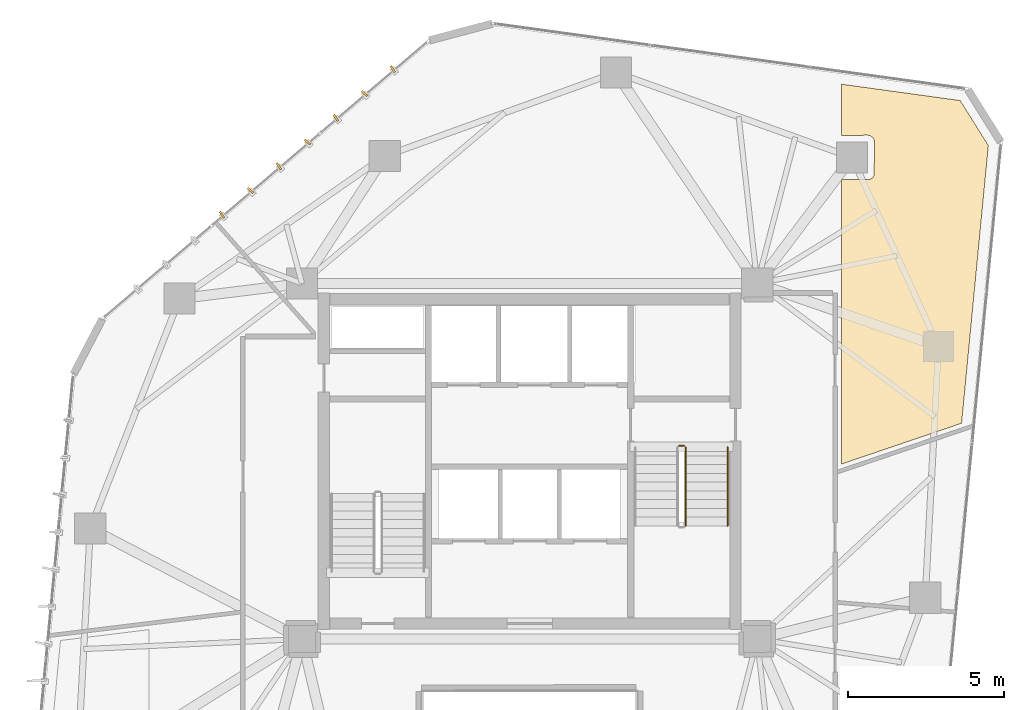
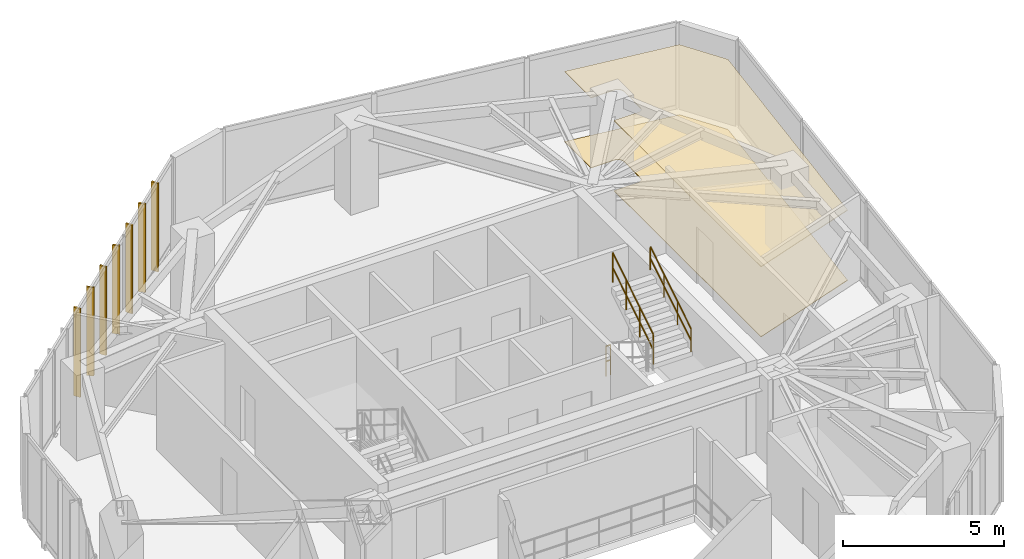
# One storey, part 20 of 20: 7 shading devices, 3 railings, 2 coverings.
"""IFC4 building model written with IfcOpenShell, lengths in metres."""

from ifc_helpers import new_model, si_unit, direction, frame, origin, origin_2d, place, context, subcontext, project, spatial, polyline, rectangle, circle, outline, extrude, source, transform, mapped, material, layer, layer_set, type_object, type_shapes, element, save


model = new_model("IFC4")

# Units and contexts
model_context = context("Model", 3, precision=1e-05, world=origin(), true_north=direction((0.0, 1.0)))
body_context = subcontext(model_context, "Body", "Model", "MODEL_VIEW")
ifc_project = project(units=[si_unit("LENGTHUNIT", "METRE"), si_unit("AREAUNIT", "SQUARE_METRE"), si_unit("VOLUMEUNIT", "CUBIC_METRE"), si_unit("PLANEANGLEUNIT", "RADIAN"), si_unit("MASSUNIT", "GRAM", prefix="KILO")], contexts=[model_context])

# Site, building, storey
site_placement = place(None, origin())
site = spatial("IfcSite", under=ifc_project, at=site_placement, CompositionType="ELEMENT")
building_placement = place(site_placement, origin())
building = spatial("IfcBuilding", under=site, at=building_placement, Name="Talar Marvaseh", CompositionType="ELEMENT")
storey_placement = place(building_placement, frame((0.0, 0.0, 211.699951171875)))
storey = spatial("IfcBuildingStorey", under=building, at=storey_placement, Name="L55", CompositionType="ELEMENT", Elevation=211.699951171875)

# Railings
ifc_material_1 = material(Name="Stainless Steel Grade 316", Category="steel")
railing_type_1 = type_object("IfcRailingType", Name="Brushed Stainless Wall Pitch Handrail 900", PredefinedType="HANDRAIL", material=ifc_material_1)
railing_1_placement = place(storey_placement, frame((32.35009765625, 29.1298828125, 1.925048828125)))
element("IfcRailing", 1, at=railing_1_placement, inside=storey, type_object=railing_type_1, Name="L55 ST-2 stair handrail 2", PredefinedType="HANDRAIL", context=body_context, shape_type="SweptSolid", body=[
    extrude(circle(Radius=0.02392578125, at=origin_2d()), frame((0.0, 0.0, 0.8759765625), z_axis=(0.0, 0.848007534815, 0.529984170421), x_axis=(-1.0, 0.0, 0.0)), (0.0, 0.0, 1.0), 2.9716796875),
    extrude(circle(Radius=0.02392578125, at=origin_2d()), frame((0.0, 0.0, 0.42578125), z_axis=(0.0, 0.848007534815, 0.529984170421), x_axis=(-1.0, 0.0, 0.0)), (0.0, 0.0, 1.0), 2.9716796875),
    extrude(circle(Radius=0.02099609375, at=origin_2d()), origin(), (0.0, 0.0, 1.0), 0.851806640625),
    extrude(circle(Radius=0.02099609375, at=origin_2d()), frame((0.0, 0.840087890625, 0.52490234375)), (0.0, 0.0, 1.0), 0.851806640625),
    extrude(circle(Radius=0.02099609375, at=origin_2d()), frame((0.0, 1.679931640625, 1.050048828125)), (0.0, 0.0, 1.0), 0.851806640625),
    extrude(circle(Radius=0.02099609375, at=origin_2d()), frame((0.0, 2.52001953125, 1.574951171875)), (0.0, 0.0, 1.0), 0.851806640625),
])
railing_type_2 = type_object("IfcRailingType", Name="Painted Steel Core Stair Well Guardrail 1150", PredefinedType="GUARDRAIL", material=ifc_material_1)
railing_2_placement = place(storey_placement, frame((31.0, 29.1298828125, 1.925048828125)))
element("IfcRailing", 2, at=railing_2_placement, inside=storey, type_object=railing_type_2, Name="L55 ST-2 stair guard 3", PredefinedType="GUARDRAIL", context=body_context, shape_type="SweptSolid", body=[
    extrude(circle(Radius=0.02392578125, at=origin_2d()), frame((0.0, 0.0, 1.1259765625), z_axis=(0.0, 0.848007534815, 0.529984170421), x_axis=(-1.0, 0.0, 0.0)), (0.0, 0.0, 1.0), 2.9716796875),
    extrude(circle(Radius=0.02392578125, at=origin_2d()), frame((0.0, 0.0, 0.55078125), z_axis=(0.0, 0.848007534815, 0.529984170421), x_axis=(-1.0, 0.0, 0.0)), (0.0, 0.0, 1.0), 2.9716796875),
    extrude(circle(Radius=0.02099609375, at=origin_2d()), origin(), (0.0, 0.0, 1.0), 1.101806640625),
    extrude(circle(Radius=0.02099609375, at=origin_2d()), frame((0.0, 0.840087890625, 0.52490234375)), (0.0, 0.0, 1.0), 1.101806640625),
    extrude(circle(Radius=0.02099609375, at=origin_2d()), frame((0.0, 1.679931640625, 1.050048828125)), (0.0, 0.0, 1.0), 1.101806640625),
    extrude(circle(Radius=0.02099609375, at=origin_2d()), frame((0.0, 2.52001953125, 1.574951171875)), (0.0, 0.0, 1.0), 1.101806640625),
])
railing_3_placement = place(storey_placement, frame((30.7900390625, 31.699951171875, 0.0)))
element("IfcRailing", 3, at=railing_3_placement, inside=storey, type_object=railing_type_2, Name="L55 ST-2 stair guard 4", PredefinedType="GUARDRAIL", context=body_context, shape_type="SweptSolid", body=[
    extrude(circle(Radius=0.02392578125, at=origin_2d()), frame((0.0, 0.0, 1.1259765625), z_axis=(1.0, 0.0, 0.0), x_axis=(0.0, 1.0, 0.0)), (0.0, 0.0, 1.0), 0.159912109375),
    extrude(circle(Radius=0.02392578125, at=origin_2d()), frame((0.0, 0.0, 0.55078125), z_axis=(1.0, 0.0, 0.0), x_axis=(0.0, 1.0, 0.0)), (0.0, 0.0, 1.0), 0.159912109375),
    extrude(circle(Radius=0.02099609375, at=origin_2d()), origin(), (0.0, 0.0, 1.0), 1.101806640625),
    extrude(circle(Radius=0.02099609375, at=origin_2d()), frame((0.159912109375, 0.0, 0.0)), (0.0, 0.0, 1.0), 1.101806640625),
])

# Coverings
ifc_material_2 = material(Name="Mineral Fibre Acoustic Ceiling")
ifc_layer_1 = layer(ifc_material_2, 0.02490234375)
ifc_layer_set_1 = layer_set([ifc_layer_1], Name="Mineral Fibre Acoustic Ceiling")
covering_type_1 = type_object("IfcCoveringType", Name="Perforated Mineral Fibre Acoustic Suspended Ceiling", PredefinedType="CEILING", material=ifc_layer_set_1)
covering_1_placement = place(storey_placement, frame((0.0, 0.0, 2.650146484375)))
element("IfcCovering", 4, at=covering_1_placement, inside=storey, type_object=covering_type_1, Name="L55 Artisan Craft Showroom Acoustic Ceiling", PredefinedType="CEILING", context=body_context, shape_type="SweptSolid", body=[
    extrude(outline(polyline([(40.71240234375, 41.32666015625), (39.853515625, 32.419189453125), (36.0, 31.109619140625), (36.0, 36.60009765625), (36.0, 40.2314453125), (36.8515625, 40.2314453125), (36.87109375, 40.232421875), (36.890380859375, 40.235107421875), (36.909423828125, 40.239990234375), (36.927978515625, 40.24658203125), (36.945556640625, 40.2548828125), (36.96240234375, 40.264892578125), (36.978271484375, 40.276611328125), (36.99267578125, 40.289794921875), (37.005859375, 40.30419921875), (37.017578125, 40.31982421875), (37.027587890625, 40.336669921875), (37.0361328125, 40.354248046875), (37.042724609375, 40.372802734375), (37.047607421875, 40.3916015625), (37.050537109375, 40.410888671875), (37.051513671875, 40.4306640625), (37.055908203125, 41.442626953125), (37.05517578125, 41.461181640625), (37.052490234375, 41.479736328125), (37.04833984375, 41.497802734375), (37.04248046875, 41.515625), (37.034912109375, 41.53271484375), (37.02587890625, 41.548828125), (37.015380859375, 41.564208984375), (37.00341796875, 41.57861328125), (36.990234375, 41.591796875), (36.975341796875, 41.605224609375), (36.9609375, 41.616943359375), (36.94580078125, 41.62744140625), (36.929443359375, 41.63623046875), (36.91259765625, 41.643798828125), (36.89501953125, 41.649658203125), (36.876953125, 41.65380859375), (36.858642578125, 41.65625), (36.840087890625, 41.656982421875), (36.0, 41.6533203125), (36.0, 43.29443359375), (39.80810546875, 42.769775390625), (40.71240234375, 41.32666015625)])), origin(), (0.0, 0.0, 1.0), 0.02490234375),
])
ifc_material_3 = material(Name="Porcelain Stoneware Tile", Category="masonry")
ifc_layer_2 = layer(ifc_material_3, 0.02001953125)
ifc_layer_set_2 = layer_set([ifc_layer_2], Name="Porcelain Stoneware Tile")
covering_type_2 = type_object("IfcCoveringType", Name="Polished Porcelain Stoneware Gallery Flooring", PredefinedType="FLOORING", material=ifc_layer_set_2)
covering_2_placement = place(storey_placement, origin())
element("IfcCovering", 5, at=covering_2_placement, inside=storey, type_object=covering_type_2, Name="L55 Artisan Craft Showroom Flooring", PredefinedType="FLOORING", context=body_context, shape_type="SweptSolid", body=[
    extrude(outline(polyline([(40.71240234375, 41.32666015625), (39.853515625, 32.419189453125), (36.0, 31.109619140625), (36.0, 36.60009765625), (36.0, 40.2314453125), (36.8515625, 40.2314453125), (36.87109375, 40.232421875), (36.890380859375, 40.235107421875), (36.909423828125, 40.239990234375), (36.927978515625, 40.24658203125), (36.945556640625, 40.2548828125), (36.96240234375, 40.264892578125), (36.978271484375, 40.276611328125), (36.99267578125, 40.289794921875), (37.005859375, 40.30419921875), (37.017578125, 40.31982421875), (37.027587890625, 40.336669921875), (37.0361328125, 40.354248046875), (37.042724609375, 40.372802734375), (37.047607421875, 40.3916015625), (37.050537109375, 40.410888671875), (37.051513671875, 40.4306640625), (37.055908203125, 41.442626953125), (37.05517578125, 41.461181640625), (37.052490234375, 41.479736328125), (37.04833984375, 41.497802734375), (37.04248046875, 41.515625), (37.034912109375, 41.53271484375), (37.02587890625, 41.548828125), (37.015380859375, 41.564208984375), (37.00341796875, 41.57861328125), (36.990234375, 41.591796875), (36.975341796875, 41.605224609375), (36.9609375, 41.616943359375), (36.94580078125, 41.62744140625), (36.929443359375, 41.63623046875), (36.91259765625, 41.643798828125), (36.89501953125, 41.649658203125), (36.876953125, 41.65380859375), (36.858642578125, 41.65625), (36.840087890625, 41.656982421875), (36.0, 41.6533203125), (36.0, 43.29443359375), (39.80810546875, 42.769775390625), (40.71240234375, 41.32666015625)])), origin(), (0.0, 0.0, 1.0), 0.02001953125),
])

# Shading devices
ifc_material_4 = material(Name="Anodised Champagne Bronze Aluminium", Category="aluminium")
ifc_layer_3 = layer(ifc_material_4, 0.06494140625)
ifc_layer_set_3 = layer_set([ifc_layer_3], Name="Anodised Champagne Bronze Aluminium")
shading_device_type = type_object("IfcShadingDeviceType", Name="Sawtooth Champagne Bronze Vertical Fin 240", PredefinedType="USERDEFINED", material=ifc_layer_set_3)
shared_shape = source(origin(), body_context, "Body", "SweptSolid", [
    extrude(rectangle(XDim=0.239990234375, YDim=0.06494140625, at=origin_2d()), origin(), (0.0, 0.0, 1.0), 3.35009765625),
])
type_shapes(shading_device_type, [shared_shape])
for number, where, z_axis, x_axis, name in (
    (6, (16.133544921875, 39.1025390625, -0.1201171875), (0.0, 0.0, 1.0), (-0.536268810577, 0.844047251522, 0.0), "L55 Sawtooth Vertical Solar Fin"),
    (7, (17.046875, 39.880859375, -0.1201171875), (0.0, 0.0, 1.0), (-0.748145618928, 0.663534575496, 0.0), "L55 Sawtooth Vertical Solar Fin"),
    (8, (17.960205078125, 40.6591796875, -0.1201171875), (0.0, 0.0, 1.0), (-0.536268810577, 0.844047251522, 0.0), "L55 Sawtooth Vertical Solar Fin"),
    (9, (18.873779296875, 41.437255859375, -0.1201171875), (0.0, 0.0, 1.0), (-0.748145618928, 0.663534575496, 0.0), "L55 Sawtooth Vertical Solar Fin"),
    (10, (19.787109375, 42.215576171875, -0.1201171875), (0.0, 0.0, 1.0), (-0.536268810577, 0.844047251522, 0.0), "L55 Sawtooth Vertical Solar Fin"),
    (11, (20.700439453125, 42.993896484375, -0.1201171875), (0.0, 0.0, 1.0), (-0.748145618928, 0.663534575496, 0.0), "L55 Sawtooth Vertical Solar Fin"),
    (12, (21.614013671875, 43.772216796875, -0.1201171875), (0.0, 0.0, 1.0), (-0.536268810577, 0.844047251522, 0.0), "L55 Sawtooth Vertical Solar Fin"),
):
    element("IfcShadingDevice", number, at=place(storey_placement, frame(where, z_axis=z_axis, x_axis=x_axis)), inside=storey, type_object=shading_device_type, Name=name, ObjectType="FIN", PredefinedType="USERDEFINED", context=body_context, shape_type="MappedRepresentation", body=[
        mapped(shared_shape, transform((0.0, 0.0, 0.0), x_axis=(1.0, 0.0, 0.0), y_axis=(0.0, 1.0, 0.0), z_axis=(0.0, 0.0, 1.0), scale=1.0)),
    ])

save(model, "model.ifc")
